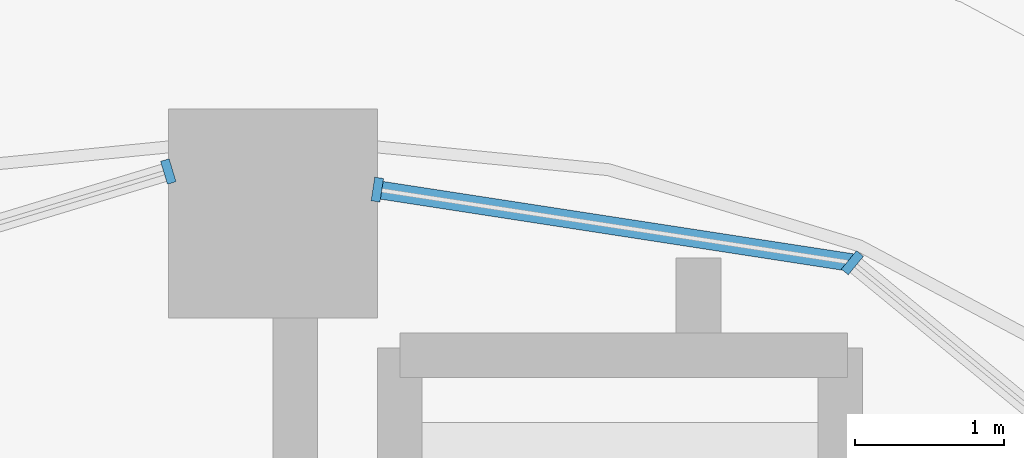
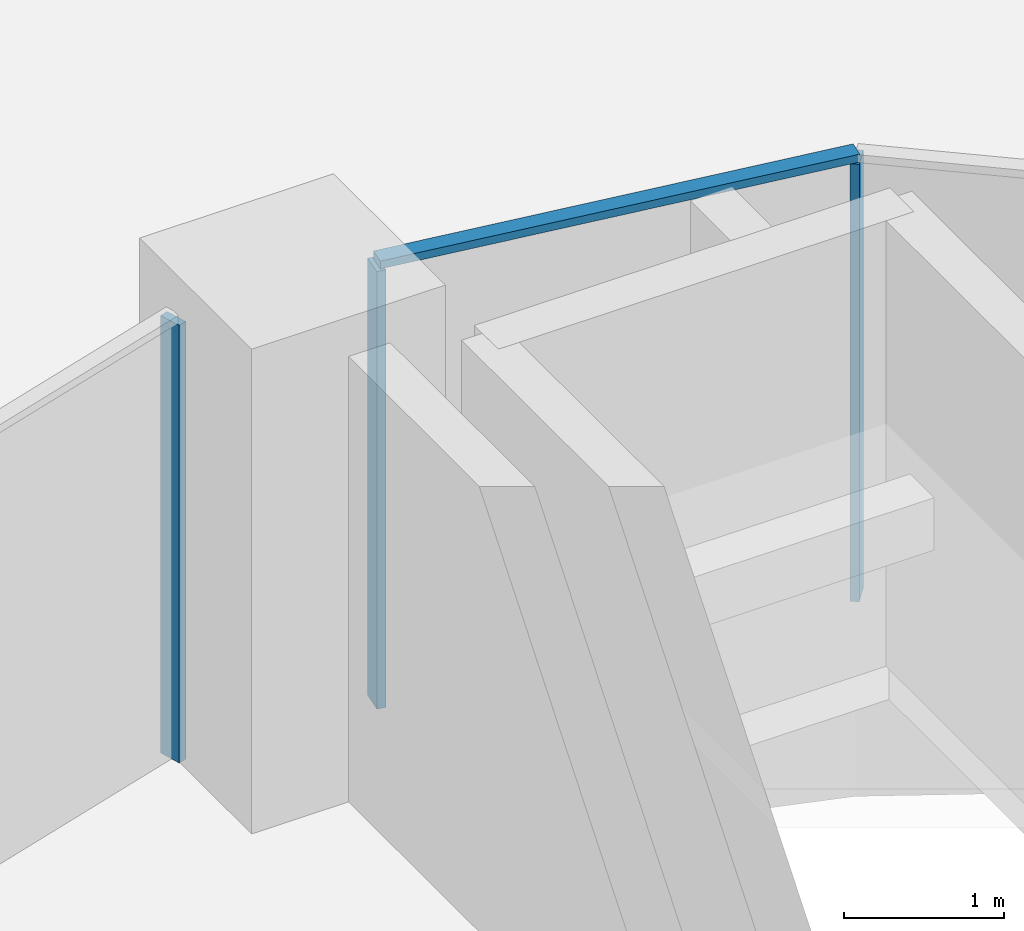
# One storey, part 10 of 51: 4 members, 2 elements without a shape of their own.
"""IFC4 building model written with IfcOpenShell, lengths in metres."""

from ifc_helpers import new_model, si_unit, direction, frame, origin, origin_2d, place, context, subcontext, project, spatial, rectangle, extrude, material, material_profile, profile_set, type_object, element, aggregate, save


model = new_model("IFC4")

# Units and contexts
model_context = context("Model", 3, precision=1e-05, world=origin(), true_north=direction((0.0, 1.0)))
body_context = subcontext(model_context, "Body", "Model", "MODEL_VIEW")
ifc_project = project(units=[si_unit("LENGTHUNIT", "METRE"), si_unit("AREAUNIT", "SQUARE_METRE"), si_unit("VOLUMEUNIT", "CUBIC_METRE"), si_unit("PLANEANGLEUNIT", "RADIAN"), si_unit("MASSUNIT", "GRAM", prefix="KILO")], contexts=[model_context])

# Site, building, storey
site_placement = place(None, origin())
site = spatial("IfcSite", under=ifc_project, at=site_placement, CompositionType="ELEMENT")
building_placement = place(site_placement, origin())
building = spatial("IfcBuilding", under=site, at=building_placement, Name="Ogive Portal Towers", CompositionType="ELEMENT")
storey_placement = place(building_placement, frame((0.0, 0.0, 33.5)))
storey = spatial("IfcBuildingStorey", under=building, at=storey_placement, Name="L06", CompositionType="ELEMENT", Elevation=33.5)

# Curtain wall, members
ifc_material_1 = material(Name="Glass, clear low-iron insulated glazing", Category="glass")
curtain_wall_type = type_object("IfcCurtainWallType", Name="CW FRONT RIBBON 4500", PredefinedType="NOTDEFINED", material=ifc_material_1)
curtain_wall_1_placement = place(storey_placement, origin())
curtain_wall_1 = element("IfcCurtainWall", 1, at=curtain_wall_1_placement, inside=storey, type_object=curtain_wall_type, Name="A:L06:f07:cwa~1", PredefinedType="NOTDEFINED")
ifc_material_2 = material(Name="Aluminium 6063 anodised", Category="aluminium")
ifc_material_profile_1 = material_profile(ifc_material_2, rectangle(XDim=0.159912109375, YDim=0.06005859375, at=origin_2d()), Name="AL 60x160")
ifc_profile_set_1 = profile_set([ifc_material_profile_1], Name="Aluminium 6063 anodised")
member_type_1 = type_object("IfcMemberType", Name="CW MULLION 60x160", PredefinedType="MULLION", material=ifc_profile_set_1)
member_1_placement = place(storey_placement, frame((44.381591796875, 75.169921875, 0.0), z_axis=(0.0, 0.0, 1.0), x_axis=(-0.634393284164, -0.773010453363, 0.0)))
member_1 = element("IfcMember", 2, at=member_1_placement, type_object=member_type_1, Name="mullion", PredefinedType="MULLION", context=body_context, shape_type="SweptSolid", body=[
    extrude(rectangle(XDim=0.159912109375, YDim=0.06005859375, at=origin_2d()), origin(), (0.0, 0.0, 1.0), 3.340087890625),
])
member_2_placement = place(storey_placement, frame((41.199951171875, 75.659423828125, 0.0), z_axis=(0.0, 0.0, 1.0), x_axis=(-0.15207363432, -0.988369166731, 0.0)))
member_2 = element("IfcMember", 3, at=member_2_placement, type_object=member_type_1, Name="mullion", PredefinedType="MULLION", context=body_context, shape_type="SweptSolid", body=[
    extrude(rectangle(XDim=0.159912109375, YDim=0.06005859375, at=origin_2d()), origin(), (0.0, 0.0, 1.0), 3.340087890625),
])

# Curtain wall, member
curtain_wall_2_placement = place(storey_placement, origin())
curtain_wall_2 = element("IfcCurtainWall", 4, at=curtain_wall_2_placement, inside=storey, type_object=curtain_wall_type, Name="A:L06:f07:cwa~2", PredefinedType="NOTDEFINED")
member_3_placement = place(storey_placement, frame((39.800048828125, 75.78076171875, 0.0), z_axis=(0.0, 0.0, 1.0), x_axis=(0.290284677254, -0.956940335732, 0.0)))
member_3 = element("IfcMember", 5, at=member_3_placement, type_object=member_type_1, Name="mullion", PredefinedType="MULLION", context=body_context, shape_type="SweptSolid", body=[
    extrude(rectangle(XDim=0.159912109375, YDim=0.06005859375, at=origin_2d()), origin(), (0.0, 0.0, 1.0), 3.340087890625),
])
aggregate(curtain_wall_2, [member_3])

# Member
ifc_material_profile_2 = material_profile(ifc_material_2, rectangle(XDim=0.1201171875, YDim=0.06005859375, at=origin_2d()), Name="AL 120x60")
ifc_profile_set_2 = profile_set([ifc_material_profile_2], Name="Aluminium 6063 anodised")
member_type_2 = type_object("IfcMemberType", Name="CW TRANSOM 60x120", PredefinedType="USERDEFINED", material=ifc_profile_set_2)
member_4_placement = place(storey_placement, frame((44.381591796875, 75.169921875, 3.3701171875), z_axis=(-0.98837082085, 0.152062883349, 0.0), x_axis=(-0.152062883349, -0.98837082085, 0.0)))
member_4 = element("IfcMember", 6, at=member_4_placement, type_object=member_type_2, Name="transom", ObjectType="TRANSOM", PredefinedType="USERDEFINED", context=body_context, shape_type="SweptSolid", body=[
    extrude(rectangle(XDim=0.1201171875, YDim=0.06005859375, at=origin_2d()), origin(), (0.0, 0.0, 1.0), 3.218994140625),
])

aggregate(curtain_wall_1, [member_4, member_1, member_2])

save(model, "model.ifc")
